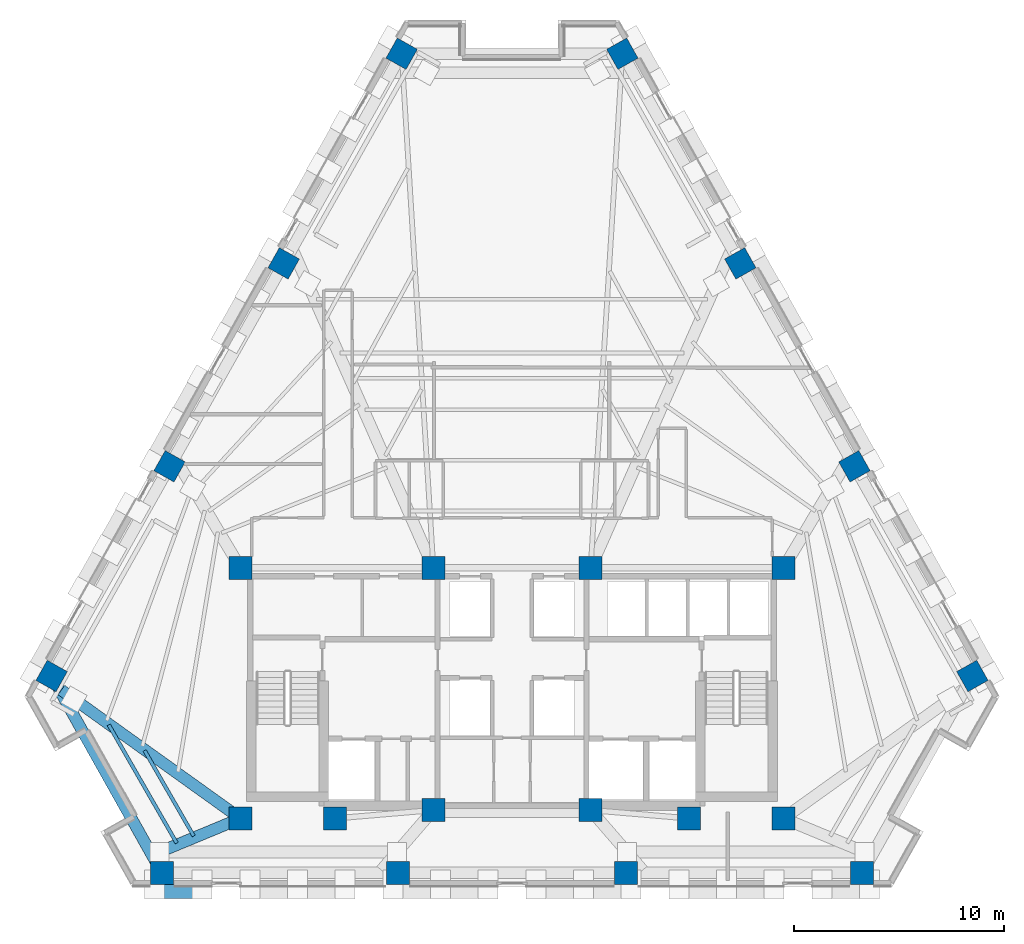
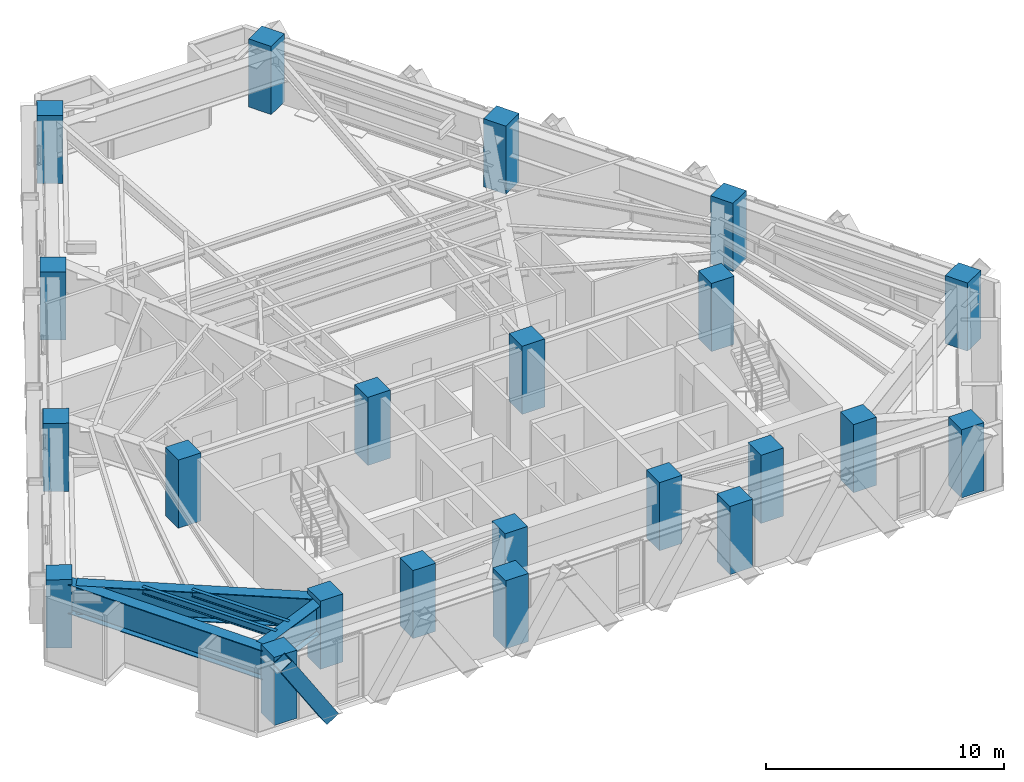
# One storey, part 1 of 13: 22 columns, 5 beams, 1 member.
"""IFC4 building model written with IfcOpenShell, lengths in metres."""

from ifc_helpers import new_model, si_unit, direction, frame, origin, origin_2d, place, context, subcontext, project, spatial, rectangle, hollow_rectangle, i_section, extrude, material, material_profile, profile_set, type_object, element, save


model = new_model("IFC4")

# Units and contexts
model_context = context("Model", 3, precision=1e-05, world=origin(), true_north=direction((0.0, 1.0)))
body_context = subcontext(model_context, "Body", "Model", "MODEL_VIEW")
ifc_project = project(units=[si_unit("LENGTHUNIT", "METRE"), si_unit("AREAUNIT", "SQUARE_METRE"), si_unit("VOLUMEUNIT", "CUBIC_METRE"), si_unit("PLANEANGLEUNIT", "RADIAN"), si_unit("MASSUNIT", "GRAM", prefix="KILO")], contexts=[model_context])

# Site, building, storey
site_placement = place(None, origin())
site = spatial("IfcSite", under=ifc_project, at=site_placement, CompositionType="ELEMENT")
building_placement = place(site_placement, origin())
building = spatial("IfcBuilding", under=site, at=building_placement, Name="Quenlor Broadcast Tower", CompositionType="ELEMENT")
storey_placement = place(building_placement, frame((0.0, 0.0, 126.5)))
storey = spatial("IfcBuildingStorey", under=building, at=storey_placement, Name="L34", CompositionType="ELEMENT", Elevation=126.5)

# Columns
ifc_material_1 = material(Name="Concrete C65/80", Category="concrete")
ifc_material_profile_1 = material_profile(ifc_material_1, rectangle(XDim=1.10009765625, YDim=1.10009765625, at=origin_2d()))
ifc_profile_set_1 = profile_set([ifc_material_profile_1], Name="Concrete C65/80 RC1100x1100")
column_type_1 = type_object("IfcColumnType", Name="Core Corner Column Mid Concrete C65/80 1100", PredefinedType="COLUMN", material=ifc_profile_set_1)
for number, where, z_axis, x_axis, name in (
    (1, (-12.949951171875, -16.75, 0.0), (0.0, 0.0, 1.0), (1.0, 0.0, 0.0), "L34 Core Column CC1"),
    (2, (-8.449951171875, -16.75, 0.0), (0.0, 0.0, 1.0), (1.0, 0.0, 0.0), "L34 Core Column CC2"),
    (3, (-3.75, -16.35009765625, 0.0), (0.0, 0.0, 1.0), (1.0, 0.0, 0.0), "L34 Core Column CC3"),
    (4, (3.75, -16.35009765625, 0.0), (0.0, 0.0, 1.0), (1.0, 0.0, 0.0), "L34 Core Column CC4"),
    (5, (8.449951171875, -16.75, 0.0), (0.0, 0.0, 1.0), (1.0, 0.0, 0.0), "L34 Core Column CC5"),
    (6, (12.949951171875, -16.75, 0.0), (0.0, 0.0, 1.0), (1.0, 0.0, 0.0), "L34 Core Column CC6"),
    (7, (-12.949951171875, -4.800048828125, 0.0), (0.0, 0.0, 1.0), (1.0, 0.0, 0.0), "L34 Core Column CC7"),
    (8, (-3.75, -4.800048828125, 0.0), (0.0, 0.0, 1.0), (1.0, 0.0, 0.0), "L34 Core Column CC8"),
    (9, (3.75, -4.800048828125, 0.0), (0.0, 0.0, 1.0), (1.0, 0.0, 0.0), "L34 Core Column CC9"),
    (10, (12.949951171875, -4.800048828125, 0.0), (0.0, 0.0, 1.0), (1.0, 0.0, 0.0), "L34 Core Column CC10"),
):
    element("IfcColumn", number, at=place(storey_placement, frame(where, z_axis=z_axis, x_axis=x_axis)), inside=storey, type_object=column_type_1, Name=name, PredefinedType="COLUMN", context=body_context, shape_type="SweptSolid", body=[
        extrude(rectangle(XDim=1.10009765625, YDim=1.10009765625, at=origin_2d()), origin(), (0.0, 0.0, 1.0), 3.5),
    ])
ifc_material_2 = material(Name="Concrete C65/80", Category="concrete")
ifc_material_profile_2 = material_profile(ifc_material_2, rectangle(XDim=1.10009765625, YDim=1.10009765625, at=origin_2d()))
ifc_profile_set_2 = profile_set([ifc_material_profile_2], Name="Concrete C65/80 RC1100x1100")
column_type_2 = type_object("IfcColumnType", Name="Tower Perimeter Column Z2 Concrete C65/80 1100", PredefinedType="COLUMN", material=ifc_profile_set_2)
for number, where, z_axis, x_axis, name in (
    (11, (-16.6923828125, -19.35009765625, 0.0), (0.0, 0.0, 1.0), (0.0, 1.0, 0.0), "L34 Perimeter Column S1"),
    (12, (-5.443115234375, -19.35009765625, 0.0), (0.0, 0.0, 1.0), (0.0, 1.0, 0.0), "L34 Perimeter Column S2"),
    (13, (5.443115234375, -19.35009765625, 0.0), (0.0, 0.0, 1.0), (0.0, 1.0, 0.0), "L34 Perimeter Column S3"),
    (14, (16.6923828125, -19.35009765625, 0.0), (0.0, 0.0, 1.0), (0.0, 1.0, 0.0), "L34 Perimeter Column S4"),
    (15, (21.95458984375, -9.95654296875, 0.0), (0.0, 0.0, 1.0), (0.871575139605, 0.490261946333, 0.0), "L34 Perimeter Column NE1"),
    (16, (16.330078125, 0.04296875, 0.0), (0.0, 0.0, 1.0), (0.871575139605, 0.490261946333, 0.0), "L34 Perimeter Column NE2"),
    (17, (10.886962890625, 9.7197265625, 0.0), (0.0, 0.0, 1.0), (0.871575139605, 0.490261946333, 0.0), "L34 Perimeter Column NE3"),
    (18, (5.26220703125, 19.718994140625, 0.0), (0.0, 0.0, 1.0), (0.871575139605, 0.490261946333, 0.0), "L34 Perimeter Column NE4"),
    (19, (-5.26220703125, 19.718994140625, 0.0), (0.0, 0.0, 1.0), (-0.871575139605, 0.490261946333, 0.0), "L34 Perimeter Column NW1"),
    (20, (-10.886962890625, 9.7197265625, 0.0), (0.0, 0.0, 1.0), (-0.871575139605, 0.490261946333, 0.0), "L34 Perimeter Column NW2"),
    (21, (-16.330078125, 0.04296875, 0.0), (0.0, 0.0, 1.0), (-0.871575139605, 0.490261946333, 0.0), "L34 Perimeter Column NW3"),
    (22, (-21.95458984375, -9.95654296875, 0.0), (0.0, 0.0, 1.0), (-0.871575139605, 0.490261946333, 0.0), "L34 Perimeter Column NW4"),
):
    element("IfcColumn", number, at=place(storey_placement, frame(where, z_axis=z_axis, x_axis=x_axis)), inside=storey, type_object=column_type_2, Name=name, PredefinedType="COLUMN", context=body_context, shape_type="SweptSolid", body=[
        extrude(rectangle(XDim=1.10009765625, YDim=1.10009765625, at=origin_2d()), origin(), (0.0, 0.0, 1.0), 3.5),
    ])

# Member
ifc_material_3 = material(Name="Steel S355", Category="steel")
ifc_material_profile_3 = material_profile(ifc_material_3, hollow_rectangle(XDim=0.679931640625, YDim=0.679931640625, WallThickness=0.030029296875, at=origin_2d()))
ifc_profile_set_3 = profile_set([ifc_material_profile_3], Name="Steel S355 RHS680x680x30")
member_type = type_object("IfcMemberType", Name="Perimeter Diagonal Lattice Brace Z2 Steel S355 RHS680x30", PredefinedType="BRACE", material=ifc_profile_set_3)
member_placement = place(storey_placement, frame((-14.78515625, -20.235107421875, -0.1201171875), z_axis=(-0.539968035679, 0.0, 0.841685523485), x_axis=(0.0, -1.0, 0.0)))
element("IfcMember", 23, at=member_placement, inside=storey, type_object=member_type, Name="L34 Perimeter Diamond Lattice S-C5S", PredefinedType="BRACE", context=body_context, shape_type="SweptSolid", body=[
    extrude(hollow_rectangle(XDim=0.679931640625, YDim=0.679931640625, WallThickness=0.030029296875, at=origin_2d()), origin(), (0.0, 0.0, 1.0), 4.158203125),
])

# Beams
ifc_material_4 = material(Name="Steel S355", Category="steel")
ifc_material_profile_4 = material_profile(ifc_material_4, i_section(OverallWidth=0.172119140625, OverallDepth=0.358642578125, WebThickness=0.008056640625, FlangeThickness=0.012939453125, FilletRadius=0.011474609375, at=origin_2d()))
ifc_profile_set_4 = profile_set([ifc_material_profile_4], Name="Steel S355 360UB56.7")
beam_type_1 = type_object("IfcBeamType", Name="Tower Composite Joist Z2-Z3 Steel S355 360UB56.7", PredefinedType="JOIST", material=ifc_profile_set_4)
beam_1_placement = place(storey_placement, frame((-15.17822265625, -17.588134765625, 3.07080078125), z_axis=(-0.498625254038, 0.866817660201, 0.0), x_axis=(-0.866817660201, -0.498625254038, 0.0)))
element("IfcBeam", 24, at=beam_1_placement, inside=storey, type_object=beam_type_1, Name="L34 Secondary Composite Joist 20", PredefinedType="JOIST", context=body_context, shape_type="SweptSolid", body=[
    extrude(i_section(OverallWidth=0.172119140625, OverallDepth=0.358642578125, WebThickness=0.008056640625, FlangeThickness=0.012939453125, FilletRadius=0.011474609375, at=origin_2d()), origin(), (0.0, 0.0, 1.0), 4.701904296875),
])
beam_2_placement = place(storey_placement, frame((-15.989013671875, -17.92431640625, 3.07080078125), z_axis=(-0.498611496553, 0.866825573864, 0.0), x_axis=(-0.866825573864, -0.498611496553, 0.0)))
element("IfcBeam", 25, at=beam_2_placement, inside=storey, type_object=beam_type_1, Name="L34 Secondary Composite Joist 21", PredefinedType="JOIST", context=body_context, shape_type="SweptSolid", body=[
    extrude(i_section(OverallWidth=0.172119140625, OverallDepth=0.358642578125, WebThickness=0.008056640625, FlangeThickness=0.012939453125, FilletRadius=0.011474609375, at=origin_2d()), origin(), (0.0, 0.0, 1.0), 6.50244140625),
])
ifc_material_5 = material(Name="Steel S355", Category="steel")
ifc_material_profile_5 = material_profile(ifc_material_5, i_section(OverallWidth=0.550048828125, OverallDepth=1.5, WebThickness=0.02197265625, FlangeThickness=0.034912109375, FilletRadius=0.01806640625, at=origin_2d()))
ifc_profile_set_5 = profile_set([ifc_material_profile_5], Name="Steel S355 1500TG510")
beam_type_2 = type_object("IfcBeamType", Name="Zone Setback Transfer Girder Steel S355 1500", PredefinedType="BEAM", material=ifc_profile_set_5)
beam_3_placement = place(storey_placement, frame((-21.75439453125, -10.314208984375, 2.5), z_axis=(0.488749102779, -0.872424389006, 0.0), x_axis=(0.872424389006, 0.488749102779, 0.0)))
element("IfcBeam", 26, at=beam_3_placement, inside=storey, type_object=beam_type_2, Name="L34 Spandrel Beam NW4-S1", PredefinedType="BEAM", context=body_context, shape_type="SweptSolid", body=[
    extrude(i_section(OverallWidth=0.550048828125, OverallDepth=1.5, WebThickness=0.02197265625, FlangeThickness=0.034912109375, FilletRadius=0.01806640625, at=origin_2d()), origin(), (0.0, 0.0, 1.0), 9.947021484375),
])
beam_4_placement = place(storey_placement, frame((-13.301025390625, -16.8955078125, 2.5), z_axis=(-0.923713721559, -0.383083490382, 0.0), x_axis=(0.383083490382, -0.923713721559, 0.0)))
element("IfcBeam", 27, at=beam_4_placement, inside=storey, type_object=beam_type_2, Name="L34 Setback Transfer Girder S1", PredefinedType="BEAM", context=body_context, shape_type="SweptSolid", body=[
    extrude(i_section(OverallWidth=0.550048828125, OverallDepth=1.5, WebThickness=0.02197265625, FlangeThickness=0.034912109375, FilletRadius=0.01806640625, at=origin_2d()), origin(), (0.0, 0.0, 1.0), 4.00732421875),
])
beam_5_placement = place(storey_placement, frame((-13.2587890625, -16.528564453125, 2.5), z_axis=(-0.812727542033, 0.582643924212, 0.0), x_axis=(-0.582643924212, -0.812727542033, 0.0)))
element("IfcBeam", 28, at=beam_5_placement, inside=storey, type_object=beam_type_2, Name="L34 Setback Transfer Girder NW4", PredefinedType="BEAM", context=body_context, shape_type="SweptSolid", body=[
    extrude(i_section(OverallWidth=0.550048828125, OverallDepth=1.5, WebThickness=0.02197265625, FlangeThickness=0.034912109375, FilletRadius=0.01806640625, at=origin_2d()), origin(), (0.0, 0.0, 1.0), 10.13037109375),
])

save(model, "model.ifc")
